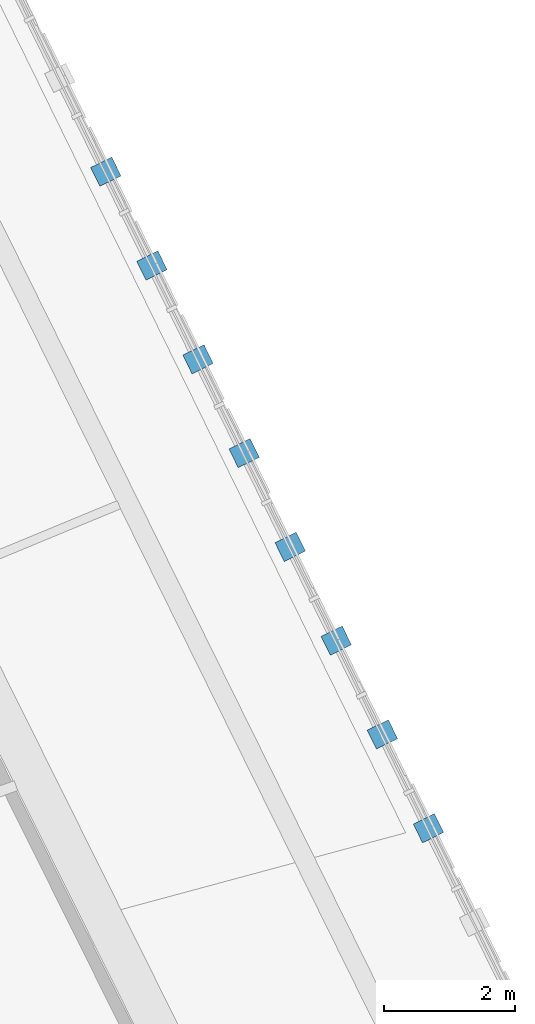
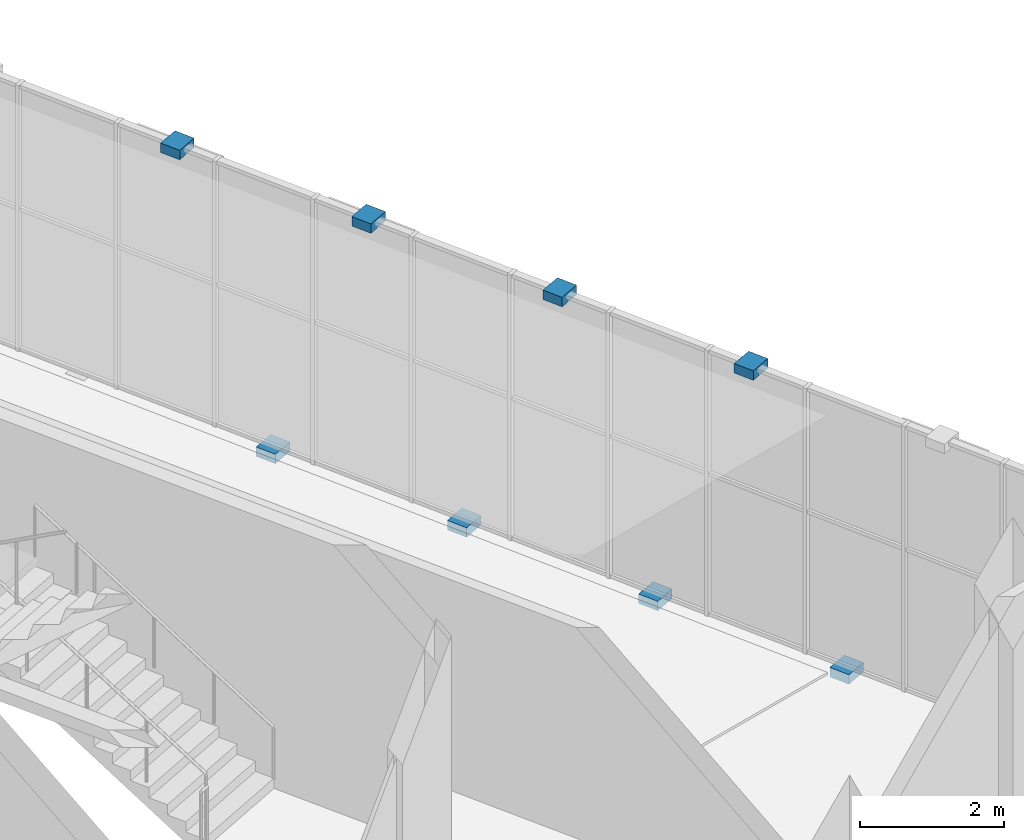
# One storey, part 122 of 179: 8 discrete accessories.
"""IFC4 building model written with IfcOpenShell, lengths in metres."""

from ifc_helpers import new_model, si_unit, direction, frame, origin, origin_2d, place, context, subcontext, project, spatial, rectangle, extrude, material, layer, layer_set, type_object, element, save


model = new_model("IFC4")

# Units and contexts
model_context = context("Model", 3, precision=1e-05, world=origin(), true_north=direction((0.0, 1.0)))
body_context = subcontext(model_context, "Body", "Model", "MODEL_VIEW")
ifc_project = project(units=[si_unit("LENGTHUNIT", "METRE"), si_unit("AREAUNIT", "SQUARE_METRE"), si_unit("VOLUMEUNIT", "CUBIC_METRE"), si_unit("PLANEANGLEUNIT", "RADIAN"), si_unit("MASSUNIT", "GRAM", prefix="KILO")], contexts=[model_context])

# Site, building, storey
site_placement = place(None, origin())
site = spatial("IfcSite", under=ifc_project, at=site_placement, CompositionType="ELEMENT")
building_placement = place(site_placement, origin())
building = spatial("IfcBuilding", under=site, at=building_placement, Name="Zevraka Park Crest Stadium", CompositionType="ELEMENT")
storey_placement = place(building_placement, frame((0.0, 0.0, 10.199951171875)))
storey = spatial("IfcBuildingStorey", under=building, at=storey_placement, Name="L02", CompositionType="ELEMENT", Elevation=10.199951171875)

# Discrete accessories
ifc_material = material(Name="Galvanised steel bracketry", Category="steel")
ifc_layer = layer(ifc_material, 0.1201171875)
ifc_layer_set = layer_set([ifc_layer], Name="Galvanised steel bracketry")
discrete_accessory_type = type_object("IfcDiscreteAccessoryType", Name="BRK01", PredefinedType="BRACKET", material=ifc_layer_set)
for number, where, z_axis, x_axis, name in (
    (1, (202.235107421875, 116.791015625, -0.15966796875), (0.0, 0.0, 1.0), (-0.441035988909, 0.897489418593, 0.0), "Bronze Screen Carrier Bracket BRK01 L02-01-3"),
    (2, (201.531982421875, 118.222900390625, 4.35986328125), (0.0, 0.0, 1.0), (-0.441035988909, 0.897489418593, 0.0), "Bronze Screen Carrier Bracket BRK01 L02-01-4"),
    (3, (200.827880859375, 119.654052734375, -0.15966796875), (0.0, 0.0, 1.0), (-0.441035988909, 0.897489418593, 0.0), "Bronze Screen Carrier Bracket BRK01 L02-01-5"),
    (4, (200.125, 121.0849609375, 4.35986328125), (0.0, 0.0, 1.0), (-0.441035988909, 0.897489418593, 0.0), "Bronze Screen Carrier Bracket BRK01 L02-01-6"),
    (5, (199.422119140625, 122.51611328125, -0.15966796875), (0.0, 0.0, 1.0), (-0.441035988909, 0.897489418593, 0.0), "Bronze Screen Carrier Bracket BRK01 L02-01-7"),
    (6, (198.718017578125, 123.947998046875, 4.35986328125), (0.0, 0.0, 1.0), (-0.441035988909, 0.897489418593, 0.0), "Bronze Screen Carrier Bracket BRK01 L02-01-8"),
    (7, (198.014892578125, 125.37890625, -0.15966796875), (0.0, 0.0, 1.0), (-0.441035988909, 0.897489418593, 0.0), "Bronze Screen Carrier Bracket BRK01 L02-01-9"),
    (8, (197.31103515625, 126.81005859375, 4.35986328125), (0.0, 0.0, 1.0), (-0.441035988909, 0.897489418593, 0.0), "Bronze Screen Carrier Bracket BRK01 L02-01-10"),
):
    element("IfcDiscreteAccessory", number, at=place(storey_placement, frame(where, z_axis=z_axis, x_axis=x_axis)), inside=storey, type_object=discrete_accessory_type, Name=name, PredefinedType="BRACKET", context=body_context, shape_type="SweptSolid", body=[
        extrude(rectangle(XDim=0.320068359375, YDim=0.360107421875, at=origin_2d()), origin(), (0.0, 0.0, 1.0), 0.159912109375),
    ])

save(model, "model.ifc")
